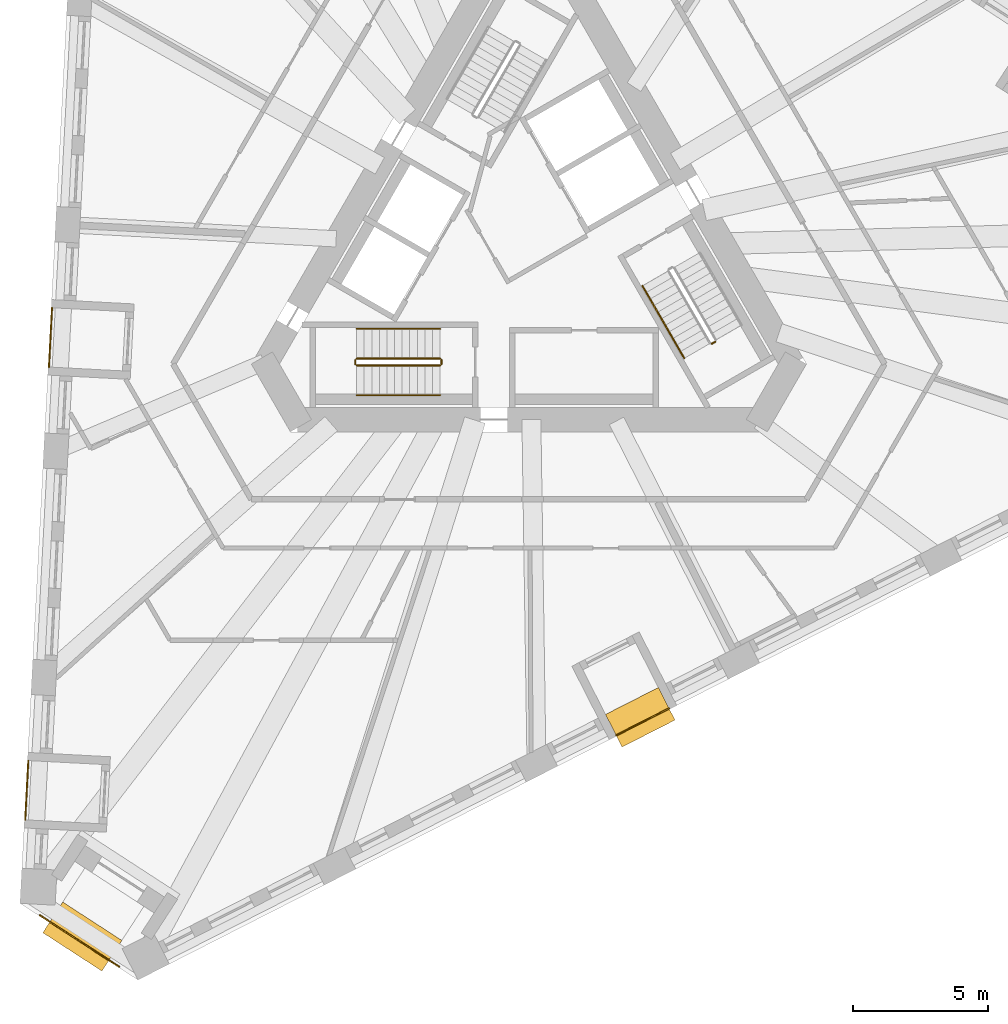
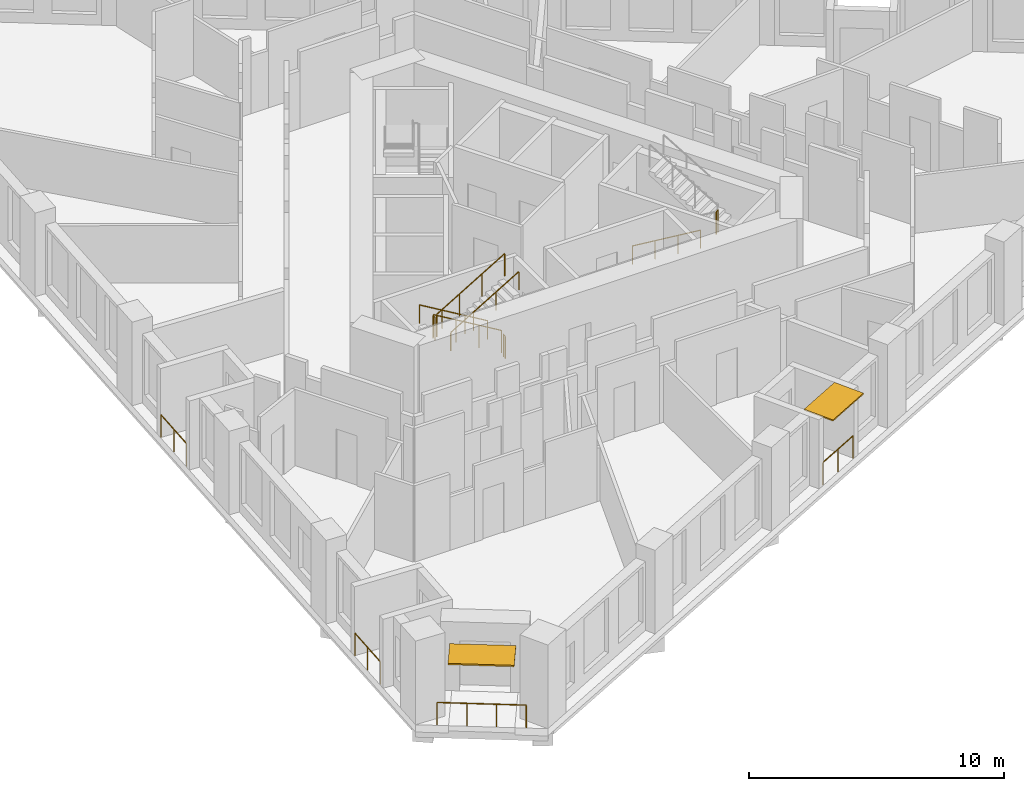
# One storey, part 9 of 12: 12 railings, 2 shading devices.
"""IFC4 building model written with IfcOpenShell, lengths in metres."""

from ifc_helpers import new_model, si_unit, direction, frame, origin, origin_2d, place, context, subcontext, project, spatial, rectangle, circle, extrude, material, layer, layer_set, type_object, element, save


model = new_model("IFC4")

# Units and contexts
model_context = context("Model", 3, precision=1e-05, world=origin(), true_north=direction((0.0, 1.0)))
body_context = subcontext(model_context, "Body", "Model", "MODEL_VIEW")
ifc_project = project(units=[si_unit("LENGTHUNIT", "METRE"), si_unit("AREAUNIT", "SQUARE_METRE"), si_unit("VOLUMEUNIT", "CUBIC_METRE"), si_unit("PLANEANGLEUNIT", "RADIAN"), si_unit("MASSUNIT", "GRAM", prefix="KILO")], contexts=[model_context])

# Site, building, storey
site_placement = place(None, origin())
site = spatial("IfcSite", under=ifc_project, at=site_placement, CompositionType="ELEMENT")
building_placement = place(site_placement, origin())
building = spatial("IfcBuilding", under=site, at=building_placement, Name="Tramontana Tower", CompositionType="ELEMENT")
storey_placement = place(building_placement, frame((0.0, 0.0, 133.60009765625)))
storey = spatial("IfcBuildingStorey", under=building, at=storey_placement, Name="L30", CompositionType="ELEMENT", Elevation=133.60009765625)

# Railings
ifc_material_1 = material(Name="Laminated glass balustrade", Category="glass")
railing_type_1 = type_object("IfcRailingType", Name="GD1 Loggia glass balustrade 1100", PredefinedType="BALUSTRADE", material=ifc_material_1)
for number, where, name in (
    (1, (-17.60791015625, -2.171875, 0.0), "Loggia balustrade L30 G3S0.10"),
    (2, (-18.484130859375, -18.89208984375, 0.0), "Loggia balustrade L30 G3S0.16"),
):
    element("IfcRailing", number, at=place(storey_placement, frame(where)), inside=storey, type_object=railing_type_1, Name=name, PredefinedType="BALUSTRADE", context=body_context, shape_type="SweptSolid", body=[
        extrude(circle(Radius=0.02392578125, at=origin_2d()), frame((0.0, 0.0, 1.076171875), z_axis=(-0.052266372167, -0.998633179071, 0.0), x_axis=(0.998633179071, -0.052266372167, 0.0)), (0.0, 0.0, 1.0), 2.190673828125),
        extrude(circle(Radius=0.02099609375, at=origin_2d()), origin(), (0.0, 0.0, 1.0), 1.052001953125),
        extrude(circle(Radius=0.02099609375, at=origin_2d()), frame((-0.05712890625, -1.09375, 0.0)), (0.0, 0.0, 1.0), 1.052001953125),
        extrude(circle(Radius=0.02099609375, at=origin_2d()), frame((-0.114501953125, -2.187744140625, 0.0)), (0.0, 0.0, 1.0), 1.052001953125),
    ])
railing_1_placement = place(storey_placement, frame((3.225830078125, -17.96337890625, 0.0)))
element("IfcRailing", 3, at=railing_1_placement, inside=storey, type_object=railing_type_1, Name="Loggia balustrade L30 G3S1.7", PredefinedType="BALUSTRADE", context=body_context, shape_type="SweptSolid", body=[
    extrude(circle(Radius=0.02392578125, at=origin_2d()), frame((0.0, 0.0, 1.076171875), z_axis=(0.891013126725, 0.4539775413, 0.0), x_axis=(-0.4539775413, 0.891013126725, 0.0)), (0.0, 0.0, 1.0), 2.1904296875),
    extrude(circle(Radius=0.02099609375, at=origin_2d()), origin(), (0.0, 0.0, 1.0), 1.052001953125),
    extrude(circle(Radius=0.02099609375, at=origin_2d()), frame((0.975830078125, 0.4970703125, 0.0)), (0.0, 0.0, 1.0), 1.052001953125),
    extrude(circle(Radius=0.02099609375, at=origin_2d()), frame((1.95166015625, 0.994384765625, 0.0)), (0.0, 0.0, 1.0), 1.052001953125),
])
railing_2_placement = place(storey_placement, frame((-15.12744140625, -26.50732421875, 0.0)))
element("IfcRailing", 4, at=railing_2_placement, inside=storey, type_object=railing_type_1, Name="Corner loggia balustrade L30 K31", PredefinedType="BALUSTRADE", context=body_context, shape_type="SweptSolid", body=[
    extrude(circle(Radius=0.02392578125, at=origin_2d()), frame((0.0, 0.0, 1.076171875), z_axis=(-0.838665071449, 0.544647498784, 0.0), x_axis=(-0.544647498784, -0.838665071449, 0.0)), (0.0, 0.0, 1.0), 3.5),
    extrude(circle(Radius=0.02099609375, at=origin_2d()), origin(), (0.0, 0.0, 1.0), 1.052001953125),
    extrude(circle(Radius=0.02099609375, at=origin_2d()), frame((-0.978515625, 0.635498046875, 0.0)), (0.0, 0.0, 1.0), 1.052001953125),
    extrude(circle(Radius=0.02099609375, at=origin_2d()), frame((-1.956787109375, 1.270751953125, 0.0)), (0.0, 0.0, 1.0), 1.052001953125),
    extrude(circle(Radius=0.02099609375, at=origin_2d()), frame((-2.935302734375, 1.90625, 0.0)), (0.0, 0.0, 1.0), 1.052001953125),
])

# Shading devices
ifc_material_2 = material(Name="Precast concrete 60 MPa", Category="concrete")
ifc_layer_1 = layer(ifc_material_2, 0.06005859375)
ifc_layer_set_1 = layer_set([ifc_layer_1], Name="SS1 Stone sunshade blade 60")
shading_device_type_1 = type_object("IfcShadingDeviceType", Name="SS1 Stone sunshade blade 60", PredefinedType="USERDEFINED", material=ifc_layer_set_1)
shading_device_1_placement = place(storey_placement, frame((4.113037109375, -17.29248046875, 3.239990234375), z_axis=(0.0, 0.0, 1.0), x_axis=(0.891006524188, 0.45399049974, 0.0)))
element("IfcShadingDevice", 5, at=shading_device_1_placement, inside=storey, type_object=shading_device_type_1, Name="Sunshade L30 G3S1.7", ObjectType="SUNSHADE", PredefinedType="USERDEFINED", context=body_context, shape_type="SweptSolid", body=[
    extrude(rectangle(XDim=2.1904296875, YDim=1.35009765625, at=origin_2d()), origin(), (0.0, 0.0, 1.0), 0.06005859375),
])
ifc_material_3 = material(Name="Precast concrete 60 MPa", Category="concrete")
ifc_layer_2 = layer(ifc_material_3, 0.070068359375)
ifc_layer_set_2 = layer_set([ifc_layer_2], Name="SS2 Stone sunshade blade 70")
shading_device_type_2 = type_object("IfcShadingDeviceType", Name="SS2 Stone sunshade blade 70", PredefinedType="USERDEFINED", material=ifc_layer_set_2)
shading_device_2_placement = place(storey_placement, frame((-16.489013671875, -25.390869140625, 3.22998046875), z_axis=(0.0, 0.0, 1.0), x_axis=(-0.838670567945, 0.544639035015, 0.0)))
element("IfcShadingDevice", 6, at=shading_device_2_placement, inside=storey, type_object=shading_device_type_2, Name="Corner sunshade L30 K31", ObjectType="SUNSHADE", PredefinedType="USERDEFINED", context=body_context, shape_type="SweptSolid", body=[
    extrude(rectangle(XDim=2.60009765625, YDim=1.35009765625, at=origin_2d()), origin(), (0.0, 0.0, 1.0), 0.070068359375),
])

# Railings
ifc_material_4 = material(Name="Painted steel", Category="steel")
railing_type_2 = type_object("IfcRailingType", Name="STAIR GUARD 1100", PredefinedType="GUARDRAIL", material=ifc_material_4)
railing_3_placement = place(storey_placement, frame((-3.280029296875, -4.050048828125, 0.16650390625)))
element("IfcRailing", 7, at=railing_3_placement, inside=storey, type_object=railing_type_2, Name="L30 ST2 stair guard 1", PredefinedType="GUARDRAIL", context=body_context, shape_type="SweptSolid", body=[
    extrude(circle(Radius=0.02392578125, at=origin_2d()), frame((0.0, 0.0, 1.076171875), z_axis=(-0.85927862911, 0.0, 0.511507807912), x_axis=(0.0, -1.0, 0.0)), (0.0, 0.0, 1.0), 3.58447265625),
    extrude(circle(Radius=0.02099609375, at=origin_2d()), origin(), (0.0, 0.0, 1.0), 1.052001953125),
    extrude(circle(Radius=0.02099609375, at=origin_2d()), frame((-1.026611328125, 0.0, 0.611083984375)), (0.0, 0.0, 1.0), 1.052001953125),
    extrude(circle(Radius=0.02099609375, at=origin_2d()), frame((-2.053466796875, 0.0, 1.222412109375)), (0.0, 0.0, 1.0), 1.052001953125),
    extrude(circle(Radius=0.02099609375, at=origin_2d()), frame((-3.080078125, 0.0, 1.83349609375)), (0.0, 0.0, 1.0), 1.052001953125),
])
railing_4_placement = place(storey_placement, frame((-6.360107421875, -4.300048828125, 2.16650390625)))
element("IfcRailing", 8, at=railing_4_placement, inside=storey, type_object=railing_type_2, Name="L30 ST2 stair guard 2", PredefinedType="GUARDRAIL", context=body_context, shape_type="SweptSolid", body=[
    extrude(circle(Radius=0.02392578125, at=origin_2d()), frame((0.0, 0.0, 1.076171875), z_axis=(0.85927862911, 0.0, 0.511507807912), x_axis=(0.0, 1.0, 0.0)), (0.0, 0.0, 1.0), 3.58447265625),
    extrude(circle(Radius=0.02099609375, at=origin_2d()), origin(), (0.0, 0.0, 1.0), 1.052001953125),
    extrude(circle(Radius=0.02099609375, at=origin_2d()), frame((1.026611328125, 0.0, 0.611083984375)), (0.0, 0.0, 1.0), 1.052001953125),
    extrude(circle(Radius=0.02099609375, at=origin_2d()), frame((2.053466796875, 0.0, 1.222412109375)), (0.0, 0.0, 1.0), 1.052001953125),
    extrude(circle(Radius=0.02099609375, at=origin_2d()), frame((3.080078125, 0.0, 1.83349609375)), (0.0, 0.0, 1.0), 1.052001953125),
])
for number, where, name in (
    (9, (-6.409912109375, -4.10009765625, 2.0), "L30 ST2 stair guard 3"),
    (10, (-3.22998046875, -4.10009765625, 0.0), "L30 ST2 stair guard 4"),
):
    element("IfcRailing", number, at=place(storey_placement, frame(where)), inside=storey, type_object=railing_type_2, Name=name, PredefinedType="GUARDRAIL", context=body_context, shape_type="SweptSolid", body=[
        extrude(circle(Radius=0.02392578125, at=origin_2d()), frame((0.0, 0.0, 1.076171875), z_axis=(0.0, -1.0, 0.0), x_axis=(1.0, 0.0, 0.0)), (0.0, 0.0, 1.0), 0.14990234375),
        extrude(circle(Radius=0.02099609375, at=origin_2d()), origin(), (0.0, 0.0, 1.0), 1.052001953125),
        extrude(circle(Radius=0.02099609375, at=origin_2d()), frame((0.0, -0.14990234375, 0.0)), (0.0, 0.0, 1.0), 1.052001953125),
    ])
railing_5_placement = place(storey_placement, frame((6.755615234375, -3.501220703125, 2.0)))
element("IfcRailing", 11, at=railing_5_placement, inside=storey, type_object=railing_type_2, Name="L30 ST3 stair guard 3", PredefinedType="GUARDRAIL", context=body_context, shape_type="SweptSolid", body=[
    extrude(circle(Radius=0.02392578125, at=origin_2d()), frame((0.0, 0.0, 1.076171875), z_axis=(0.866131372301, 0.499816412211, 0.0), x_axis=(-0.499816412211, 0.866131372301, 0.0)), (0.0, 0.0, 1.0), 0.14990234375),
    extrude(circle(Radius=0.02099609375, at=origin_2d()), origin(), (0.0, 0.0, 1.0), 1.052001953125),
    extrude(circle(Radius=0.02099609375, at=origin_2d()), frame((0.1298828125, 0.074951171875, 0.0)), (0.0, 0.0, 1.0), 1.052001953125),
])
ifc_material_5 = material(Name="Painted steel", Category="steel")
railing_type_3 = type_object("IfcRailingType", Name="STAIR HANDRAIL 900", PredefinedType="HANDRAIL", material=ifc_material_5)
railing_6_placement = place(storey_placement, frame((-3.280029296875, -2.949951171875, 0.16650390625)))
element("IfcRailing", 12, at=railing_6_placement, inside=storey, type_object=railing_type_3, Name="L30 ST2 stair handrail 1", PredefinedType="HANDRAIL", context=body_context, shape_type="SweptSolid", body=[
    extrude(circle(Radius=0.02392578125, at=origin_2d()), frame((0.0, 0.0, 0.8759765625), z_axis=(-0.85927862911, 0.0, 0.511507807912), x_axis=(0.0, -1.0, 0.0)), (0.0, 0.0, 1.0), 3.58447265625),
    extrude(circle(Radius=0.02099609375, at=origin_2d()), origin(), (0.0, 0.0, 1.0), 0.851806640625),
    extrude(circle(Radius=0.02099609375, at=origin_2d()), frame((-1.026611328125, 0.0, 0.611083984375)), (0.0, 0.0, 1.0), 0.851806640625),
    extrude(circle(Radius=0.02099609375, at=origin_2d()), frame((-2.053466796875, 0.0, 1.222412109375)), (0.0, 0.0, 1.0), 0.851806640625),
    extrude(circle(Radius=0.02099609375, at=origin_2d()), frame((-3.080078125, 0.0, 1.83349609375)), (0.0, 0.0, 1.0), 0.851806640625),
])
railing_7_placement = place(storey_placement, frame((-6.360107421875, -5.39990234375, 2.16650390625)))
element("IfcRailing", 13, at=railing_7_placement, inside=storey, type_object=railing_type_3, Name="L30 ST2 stair handrail 2", PredefinedType="HANDRAIL", context=body_context, shape_type="SweptSolid", body=[
    extrude(circle(Radius=0.02392578125, at=origin_2d()), frame((0.0, 0.0, 0.8759765625), z_axis=(0.85927862911, 0.0, 0.511507807912), x_axis=(0.0, 1.0, 0.0)), (0.0, 0.0, 1.0), 3.58447265625),
    extrude(circle(Radius=0.02099609375, at=origin_2d()), origin(), (0.0, 0.0, 1.0), 0.851806640625),
    extrude(circle(Radius=0.02099609375, at=origin_2d()), frame((1.026611328125, 0.0, 0.611083984375)), (0.0, 0.0, 1.0), 0.851806640625),
    extrude(circle(Radius=0.02099609375, at=origin_2d()), frame((2.053466796875, 0.0, 1.222412109375)), (0.0, 0.0, 1.0), 0.851806640625),
    extrude(circle(Radius=0.02099609375, at=origin_2d()), frame((3.080078125, 0.0, 1.83349609375)), (0.0, 0.0, 1.0), 0.851806640625),
])
railing_8_placement = place(storey_placement, frame((4.19482421875, -1.365478515625, 0.16650390625)))
element("IfcRailing", 14, at=railing_8_placement, inside=storey, type_object=railing_type_3, Name="L30 ST3 stair handrail 1", PredefinedType="HANDRAIL", context=body_context, shape_type="SweptSolid", body=[
    extrude(circle(Radius=0.02392578125, at=origin_2d()), frame((0.0, 0.0, 0.8759765625), z_axis=(0.429634447492, -0.7441639146, 0.511502013422), x_axis=(0.866029832698, 0.499992328818, 0.0)), (0.0, 0.0, 1.0), 3.58447265625),
    extrude(circle(Radius=0.02099609375, at=origin_2d()), origin(), (0.0, 0.0, 1.0), 0.851806640625),
    extrude(circle(Radius=0.02099609375, at=origin_2d()), frame((0.513427734375, -0.88916015625, 0.611083984375)), (0.0, 0.0, 1.0), 0.851806640625),
    extrude(circle(Radius=0.02099609375, at=origin_2d()), frame((1.026611328125, -1.7783203125, 1.222412109375)), (0.0, 0.0, 1.0), 0.851806640625),
    extrude(circle(Radius=0.02099609375, at=origin_2d()), frame((1.5400390625, -2.66748046875, 1.83349609375)), (0.0, 0.0, 1.0), 0.851806640625),
])

save(model, "model.ifc")
